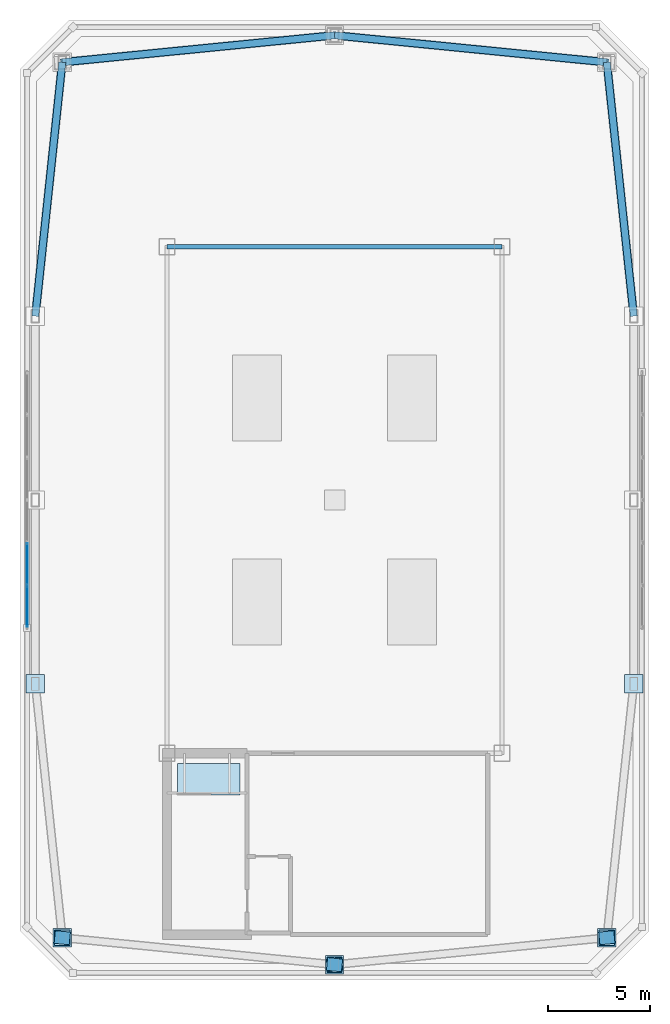
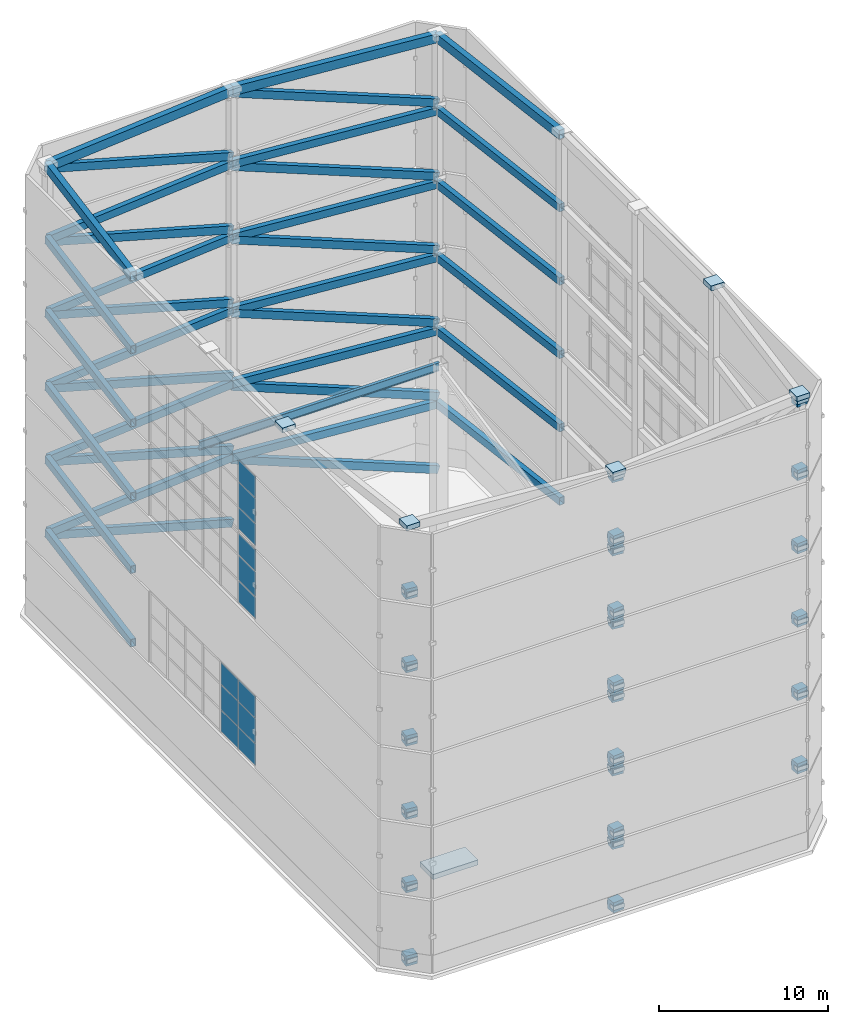
# One storey, part 43 of 47: 65 plates, 25 beams, 12 members, 1 slab, 3 elements without a shape of their own.
"""IFC4 building model written with IfcOpenShell, lengths in metres."""

from ifc_helpers import new_model, si_unit, direction, frame, origin, origin_2d, place, context, subcontext, project, spatial, polyline, rectangle, hollow_rectangle, i_section, outline, extrude, material, layer, layer_set, material_profile, profile_set, type_object, element, aggregate, save


model = new_model("IFC4")

# Units and contexts
model_context = context("Model", 3, precision=1e-05, world=origin(), true_north=direction((0.0, 1.0)))
body_context = subcontext(model_context, "Body", "Model", "MODEL_VIEW")
ifc_project = project(units=[si_unit("LENGTHUNIT", "METRE"), si_unit("AREAUNIT", "SQUARE_METRE"), si_unit("VOLUMEUNIT", "CUBIC_METRE"), si_unit("PLANEANGLEUNIT", "RADIAN"), si_unit("MASSUNIT", "GRAM", prefix="KILO")], contexts=[model_context])

# Site, building, storey
site_placement = place(None, origin())
site = spatial("IfcSite", under=ifc_project, at=site_placement, CompositionType="ELEMENT")
building_placement = place(site_placement, origin())
building = spatial("IfcBuilding", under=site, at=building_placement, Name="Qiaolan Cultural Towers", CompositionType="ELEMENT")
storey_placement = place(building_placement, frame((0.0, 0.0, 280.199951171875)))
storey = spatial("IfcBuildingStorey", under=building, at=storey_placement, Name="RF", CompositionType="ELEMENT", Elevation=280.199951171875)

# Beams
ifc_material_1 = material(Name="Steel Q355B", Category="steel")
ifc_material_profile_1 = material_profile(ifc_material_1, hollow_rectangle(XDim=0.39990234375, YDim=0.64990234375, WallThickness=0.02001953125, at=origin_2d()), Name="BOX650x400x20")
ifc_profile_set_1 = profile_set([ifc_material_profile_1], Name="Steel Q355B")
beam_type_1 = type_object("IfcBeamType", Name="BM-CROWN-FRAME-1", PredefinedType="BEAM", material=ifc_profile_set_1)
beam_1_placement = place(storey_placement, frame((44.64990234375, 43.0, 31.47509765625), z_axis=(-0.105587580773, 0.994410007384, 0.0), x_axis=(-0.994410007384, -0.105587580773, 0.0)))
element("IfcBeam", 1, at=beam_1_placement, inside=storey, type_object=beam_type_1, Name="T1 Crown Frame Top Cap Ring Beam T6-7", PredefinedType="BEAM", context=body_context, shape_type="SweptSolid", body=[
    extrude(hollow_rectangle(XDim=0.39990234375, YDim=0.64990234375, WallThickness=0.02001953125, at=origin_2d()), origin(), (0.0, 0.0, 1.0), 12.499755859375),
])
for number, where, z_axis, x_axis, name in (
    (2, (43.330078125, 55.429931640625, 31.47509765625), (-0.995132371263, 0.098547266143, 0.0), (-0.098547266143, -0.995132371263, 0.0), "T1 Crown Frame Top Cap Ring Beam T6-8"),
    (3, (30.0, 56.75, 31.47509765625), (-0.995132371263, -0.098547266143, 0.0), (0.098547266143, -0.995132371263, 0.0), "T1 Crown Frame Top Cap Ring Beam T6-9"),
):
    element("IfcBeam", number, at=place(storey_placement, frame(where, z_axis=z_axis, x_axis=x_axis)), inside=storey, type_object=beam_type_1, Name=name, PredefinedType="BEAM", context=body_context, shape_type="SweptSolid", body=[
        extrude(hollow_rectangle(XDim=0.39990234375, YDim=0.64990234375, WallThickness=0.02001953125, at=origin_2d()), origin(), (0.0, 0.0, 1.0), 13.395263671875),
    ])
beam_2_placement = place(storey_placement, frame((16.669921875, 55.429931640625, 31.47509765625), z_axis=(-0.105587580773, -0.994410007384, 0.0), x_axis=(0.994410007384, -0.105587580773, 0.0)))
element("IfcBeam", 4, at=beam_2_placement, inside=storey, type_object=beam_type_1, Name="T1 Crown Frame Top Cap Ring Beam T6-10", PredefinedType="BEAM", context=body_context, shape_type="SweptSolid", body=[
    extrude(hollow_rectangle(XDim=0.39990234375, YDim=0.64990234375, WallThickness=0.02001953125, at=origin_2d()), origin(), (0.0, 0.0, 1.0), 12.499755859375),
])
ifc_material_2 = material(Name="Steel Q355B", Category="steel")
ifc_material_profile_2 = material_profile(ifc_material_2, hollow_rectangle(XDim=0.35009765625, YDim=0.550048828125, WallThickness=0.01806640625, at=origin_2d()), Name="BOX550x350x18")
ifc_profile_set_2 = profile_set([ifc_material_profile_2], Name="Steel Q355B")
beam_type_2 = type_object("IfcBeamType", Name="BM-CROWN-FRAME-2", PredefinedType="BEAM", material=ifc_profile_set_2)
beam_3_placement = place(storey_placement, frame((44.64990234375, 43.0, 4.97509765625), z_axis=(-0.105587580773, 0.994410007384, 0.0), x_axis=(-0.994410007384, -0.105587580773, 0.0)))
element("IfcBeam", 5, at=beam_3_placement, inside=storey, type_object=beam_type_2, Name="T1 Crown Frame Ring Beam T1-7", PredefinedType="BEAM", context=body_context, shape_type="SweptSolid", body=[
    extrude(hollow_rectangle(XDim=0.35009765625, YDim=0.550048828125, WallThickness=0.01806640625, at=origin_2d()), origin(), (0.0, 0.0, 1.0), 12.499755859375),
])
for number, where, z_axis, x_axis, name in (
    (6, (43.330078125, 55.429931640625, 4.97509765625), (-0.995132371263, 0.098547266143, 0.0), (-0.098547266143, -0.995132371263, 0.0), "T1 Crown Frame Ring Beam T1-8"),
    (7, (30.0, 56.75, 4.97509765625), (-0.995132371263, -0.098547266143, 0.0), (0.098547266143, -0.995132371263, 0.0), "T1 Crown Frame Ring Beam T1-9"),
):
    element("IfcBeam", number, at=place(storey_placement, frame(where, z_axis=z_axis, x_axis=x_axis)), inside=storey, type_object=beam_type_2, Name=name, PredefinedType="BEAM", context=body_context, shape_type="SweptSolid", body=[
        extrude(hollow_rectangle(XDim=0.35009765625, YDim=0.550048828125, WallThickness=0.01806640625, at=origin_2d()), origin(), (0.0, 0.0, 1.0), 13.395263671875),
    ])
for number, where, z_axis, x_axis, name in (
    (8, (16.669921875, 55.429931640625, 4.97509765625), (-0.105587580773, -0.994410007384, 0.0), (0.994410007384, -0.105587580773, 0.0), "T1 Crown Frame Ring Beam T1-10"),
    (9, (44.64990234375, 43.0, 10.275146484375), (-0.105587580773, 0.994410007384, 0.0), (-0.994410007384, -0.105587580773, 0.0), "T1 Crown Frame Ring Beam T2-7"),
):
    element("IfcBeam", number, at=place(storey_placement, frame(where, z_axis=z_axis, x_axis=x_axis)), inside=storey, type_object=beam_type_2, Name=name, PredefinedType="BEAM", context=body_context, shape_type="SweptSolid", body=[
        extrude(hollow_rectangle(XDim=0.35009765625, YDim=0.550048828125, WallThickness=0.01806640625, at=origin_2d()), origin(), (0.0, 0.0, 1.0), 12.499755859375),
    ])
for number, where, z_axis, x_axis, name in (
    (10, (43.330078125, 55.429931640625, 10.275146484375), (-0.995132371263, 0.098547266143, 0.0), (-0.098547266143, -0.995132371263, 0.0), "T1 Crown Frame Ring Beam T2-8"),
    (11, (30.0, 56.75, 10.275146484375), (-0.995132371263, -0.098547266143, 0.0), (0.098547266143, -0.995132371263, 0.0), "T1 Crown Frame Ring Beam T2-9"),
):
    element("IfcBeam", number, at=place(storey_placement, frame(where, z_axis=z_axis, x_axis=x_axis)), inside=storey, type_object=beam_type_2, Name=name, PredefinedType="BEAM", context=body_context, shape_type="SweptSolid", body=[
        extrude(hollow_rectangle(XDim=0.35009765625, YDim=0.550048828125, WallThickness=0.01806640625, at=origin_2d()), origin(), (0.0, 0.0, 1.0), 13.395263671875),
    ])
for number, where, z_axis, x_axis, name in (
    (12, (16.669921875, 55.429931640625, 10.275146484375), (-0.105587580773, -0.994410007384, 0.0), (0.994410007384, -0.105587580773, 0.0), "T1 Crown Frame Ring Beam T2-10"),
    (13, (44.64990234375, 43.0, 15.574951171875), (-0.105587580773, 0.994410007384, 0.0), (-0.994410007384, -0.105587580773, 0.0), "T1 Crown Frame Ring Beam T3-7"),
):
    element("IfcBeam", number, at=place(storey_placement, frame(where, z_axis=z_axis, x_axis=x_axis)), inside=storey, type_object=beam_type_2, Name=name, PredefinedType="BEAM", context=body_context, shape_type="SweptSolid", body=[
        extrude(hollow_rectangle(XDim=0.35009765625, YDim=0.550048828125, WallThickness=0.01806640625, at=origin_2d()), origin(), (0.0, 0.0, 1.0), 12.499755859375),
    ])
for number, where, z_axis, x_axis, name in (
    (14, (43.330078125, 55.429931640625, 15.574951171875), (-0.995132371263, 0.098547266143, 0.0), (-0.098547266143, -0.995132371263, 0.0), "T1 Crown Frame Ring Beam T3-8"),
    (15, (30.0, 56.75, 15.574951171875), (-0.995132371263, -0.098547266143, 0.0), (0.098547266143, -0.995132371263, 0.0), "T1 Crown Frame Ring Beam T3-9"),
):
    element("IfcBeam", number, at=place(storey_placement, frame(where, z_axis=z_axis, x_axis=x_axis)), inside=storey, type_object=beam_type_2, Name=name, PredefinedType="BEAM", context=body_context, shape_type="SweptSolid", body=[
        extrude(hollow_rectangle(XDim=0.35009765625, YDim=0.550048828125, WallThickness=0.01806640625, at=origin_2d()), origin(), (0.0, 0.0, 1.0), 13.395263671875),
    ])
for number, where, z_axis, x_axis, name in (
    (16, (16.669921875, 55.429931640625, 15.574951171875), (-0.105587580773, -0.994410007384, 0.0), (0.994410007384, -0.105587580773, 0.0), "T1 Crown Frame Ring Beam T3-10"),
    (17, (44.64990234375, 43.0, 20.875), (-0.105587580773, 0.994410007384, 0.0), (-0.994410007384, -0.105587580773, 0.0), "T1 Crown Frame Ring Beam T4-7"),
):
    element("IfcBeam", number, at=place(storey_placement, frame(where, z_axis=z_axis, x_axis=x_axis)), inside=storey, type_object=beam_type_2, Name=name, PredefinedType="BEAM", context=body_context, shape_type="SweptSolid", body=[
        extrude(hollow_rectangle(XDim=0.35009765625, YDim=0.550048828125, WallThickness=0.01806640625, at=origin_2d()), origin(), (0.0, 0.0, 1.0), 12.499755859375),
    ])
for number, where, z_axis, x_axis, name in (
    (18, (43.330078125, 55.429931640625, 20.875), (-0.995132371263, 0.098547266143, 0.0), (-0.098547266143, -0.995132371263, 0.0), "T1 Crown Frame Ring Beam T4-8"),
    (19, (30.0, 56.75, 20.875), (-0.995132371263, -0.098547266143, 0.0), (0.098547266143, -0.995132371263, 0.0), "T1 Crown Frame Ring Beam T4-9"),
):
    element("IfcBeam", number, at=place(storey_placement, frame(where, z_axis=z_axis, x_axis=x_axis)), inside=storey, type_object=beam_type_2, Name=name, PredefinedType="BEAM", context=body_context, shape_type="SweptSolid", body=[
        extrude(hollow_rectangle(XDim=0.35009765625, YDim=0.550048828125, WallThickness=0.01806640625, at=origin_2d()), origin(), (0.0, 0.0, 1.0), 13.395263671875),
    ])
for number, where, z_axis, x_axis, name in (
    (20, (16.669921875, 55.429931640625, 20.875), (-0.105587580773, -0.994410007384, 0.0), (0.994410007384, -0.105587580773, 0.0), "T1 Crown Frame Ring Beam T4-10"),
    (21, (44.64990234375, 43.0, 26.175048828125), (-0.105587580773, 0.994410007384, 0.0), (-0.994410007384, -0.105587580773, 0.0), "T1 Crown Frame Ring Beam T5-7"),
):
    element("IfcBeam", number, at=place(storey_placement, frame(where, z_axis=z_axis, x_axis=x_axis)), inside=storey, type_object=beam_type_2, Name=name, PredefinedType="BEAM", context=body_context, shape_type="SweptSolid", body=[
        extrude(hollow_rectangle(XDim=0.35009765625, YDim=0.550048828125, WallThickness=0.01806640625, at=origin_2d()), origin(), (0.0, 0.0, 1.0), 12.499755859375),
    ])
for number, where, z_axis, x_axis, name in (
    (22, (43.330078125, 55.429931640625, 26.175048828125), (-0.995132371263, 0.098547266143, 0.0), (-0.098547266143, -0.995132371263, 0.0), "T1 Crown Frame Ring Beam T5-8"),
    (23, (30.0, 56.75, 26.175048828125), (-0.995132371263, -0.098547266143, 0.0), (0.098547266143, -0.995132371263, 0.0), "T1 Crown Frame Ring Beam T5-9"),
):
    element("IfcBeam", number, at=place(storey_placement, frame(where, z_axis=z_axis, x_axis=x_axis)), inside=storey, type_object=beam_type_2, Name=name, PredefinedType="BEAM", context=body_context, shape_type="SweptSolid", body=[
        extrude(hollow_rectangle(XDim=0.35009765625, YDim=0.550048828125, WallThickness=0.01806640625, at=origin_2d()), origin(), (0.0, 0.0, 1.0), 13.395263671875),
    ])
beam_4_placement = place(storey_placement, frame((16.669921875, 55.429931640625, 26.175048828125), z_axis=(-0.105587580773, -0.994410007384, 0.0), x_axis=(0.994410007384, -0.105587580773, 0.0)))
element("IfcBeam", 24, at=beam_4_placement, inside=storey, type_object=beam_type_2, Name="T1 Crown Frame Ring Beam T5-10", PredefinedType="BEAM", context=body_context, shape_type="SweptSolid", body=[
    extrude(hollow_rectangle(XDim=0.35009765625, YDim=0.550048828125, WallThickness=0.01806640625, at=origin_2d()), origin(), (0.0, 0.0, 1.0), 12.499755859375),
])
ifc_material_3 = material(Name="Steel Q355B", Category="steel")
ifc_material_profile_3 = material_profile(ifc_material_3, i_section(OverallWidth=0.199951171875, OverallDepth=0.60009765625, WebThickness=0.010986328125, FlangeThickness=0.01708984375, at=origin_2d()), Name="HN600x200x11x17")
ifc_profile_set_3 = profile_set([ifc_material_profile_3], Name="Steel Q355B")
beam_type_3 = type_object("IfcBeamType", Name="BM-SPD-HN600x200x11x17", PredefinedType="SPANDREL", material=ifc_profile_set_3)
beam_5_placement = place(storey_placement, frame((38.199951171875, 46.39990234375, 14.920166015625), z_axis=(-1.0, 0.0, 0.0), x_axis=(0.0, -1.0, 0.0)))
element("IfcBeam", 25, at=beam_5_placement, inside=storey, type_object=beam_type_3, Name="T1 Sloped Plant Roof Edge Rafter 2", PredefinedType="SPANDREL", context=body_context, shape_type="SweptSolid", body=[
    extrude(i_section(OverallWidth=0.199951171875, OverallDepth=0.60009765625, WebThickness=0.010986328125, FlangeThickness=0.01708984375, at=origin_2d()), origin(), (0.0, 0.0, 1.0), 16.39990234375),
])

# Members
ifc_material_4 = material(Name="Steel Q355B", Category="steel")
ifc_material_profile_4 = material_profile(ifc_material_4, hollow_rectangle(XDim=0.35009765625, YDim=0.550048828125, WallThickness=0.01806640625, at=origin_2d()), Name="BOX550x350x18")
ifc_profile_set_4 = profile_set([ifc_material_profile_4], Name="Steel Q355B")
member_type = type_object("IfcMemberType", Name="MBR-CROWN-FRAME-12", PredefinedType="USERDEFINED", material=ifc_profile_set_4)
for number, where, z_axis, x_axis, name in (
    (26, (43.330078125, 55.429931640625, 0.25), (-0.941722893322, 0.093258162714, 0.323204126336), (-0.098547266143, -0.995132371263, 0.0), "T1 Crown Frame Wind Brace T1-8"),
    (27, (30.0, 56.75, 0.25), (-0.941722893322, -0.093258162714, 0.323204126336), (0.098547266143, -0.995132371263, 0.0), "T1 Crown Frame Wind Brace T1-9"),
    (28, (43.330078125, 55.429931640625, 5.550048828125), (-0.941722893322, 0.093258162714, 0.323204126336), (-0.098547266143, -0.995132371263, 0.0), "T1 Crown Frame Wind Brace T2-8"),
    (29, (30.0, 56.75, 5.550048828125), (-0.941722893322, -0.093258162714, 0.323204126336), (0.098547266143, -0.995132371263, 0.0), "T1 Crown Frame Wind Brace T2-9"),
    (30, (43.330078125, 55.429931640625, 10.85009765625), (-0.941722893322, 0.093258162714, 0.323204126336), (-0.098547266143, -0.995132371263, 0.0), "T1 Crown Frame Wind Brace T3-8"),
    (31, (30.0, 56.75, 10.85009765625), (-0.941722893322, -0.093258162714, 0.323204126336), (0.098547266143, -0.995132371263, 0.0), "T1 Crown Frame Wind Brace T3-9"),
    (32, (43.330078125, 55.429931640625, 16.150146484375), (-0.941722893322, 0.093258162714, 0.323204126336), (-0.098547266143, -0.995132371263, 0.0), "T1 Crown Frame Wind Brace T4-8"),
    (33, (30.0, 56.75, 16.150146484375), (-0.941722893322, -0.093258162714, 0.323204126336), (0.098547266143, -0.995132371263, 0.0), "T1 Crown Frame Wind Brace T4-9"),
    (34, (43.330078125, 55.429931640625, 21.449951171875), (-0.941717643574, 0.093257642835, 0.323219572172), (-0.098547266143, -0.995132371263, 0.0), "T1 Crown Frame Wind Brace T5-8"),
    (35, (30.0, 56.75, 21.449951171875), (-0.941717643574, -0.093257642835, 0.323219572172), (0.098547266143, -0.995132371263, 0.0), "T1 Crown Frame Wind Brace T5-9"),
    (36, (43.330078125, 55.429931640625, 26.75), (-0.941722893322, 0.093258162714, 0.323204126336), (-0.098547266143, -0.995132371263, 0.0), "T1 Crown Frame Wind Brace T6-8"),
    (37, (30.0, 56.75, 26.75), (-0.941722893322, -0.093258162714, 0.323204126336), (0.098547266143, -0.995132371263, 0.0), "T1 Crown Frame Wind Brace T6-9"),
):
    element("IfcMember", number, at=place(storey_placement, frame(where, z_axis=z_axis, x_axis=x_axis)), inside=storey, type_object=member_type, Name=name, ObjectType="CROWN FRAME", PredefinedType="USERDEFINED", context=body_context, shape_type="SweptSolid", body=[
        extrude(hollow_rectangle(XDim=0.35009765625, YDim=0.550048828125, WallThickness=0.01806640625, at=origin_2d()), origin(), (0.0, 0.0, 1.0), 14.155029296875),
    ])

# Curtain wall, plates
ifc_material_5 = material(Name="Unitized Anodized Aluminium Curtain Wall System", Category="aluminium")
ifc_layer_1 = layer(ifc_material_5, 0.199951171875)
ifc_layer_set_1 = layer_set([ifc_layer_1], Name="Unitized Anodized Aluminium Curtain Wall System")
curtain_wall_type = type_object("IfcCurtainWallType", Name="CWS-06", PredefinedType="NOTDEFINED", material=ifc_layer_set_1)
curtain_wall_1_placement = place(storey_placement, origin())
curtain_wall_1 = element("IfcCurtainWall", 38, at=curtain_wall_1_placement, inside=storey, type_object=curtain_wall_type, Name="T1 Crown Tier 2 Fritted Screen Curtain Wall 7", PredefinedType="NOTDEFINED")
ifc_material_6 = material(Name="Laminated Low-E Insulating Glass Unit", Category="glass")
ifc_layer_2 = layer(ifc_material_6, 0.035888671875)
ifc_layer_set_2 = layer_set([ifc_layer_2], Name="Laminated Low-E Insulating Glass Unit")
plate_type_1 = type_object("IfcPlateType", Name="CWS-06-PNL", PredefinedType="CURTAIN_PANEL", material=ifc_layer_set_2)
plate_1_placement = place(storey_placement, frame((14.949951171875, 30.864990234375, 5.46484375), z_axis=(0.0, 0.0, 1.0), x_axis=(0.0, -1.0, 0.0)))
plate_1 = element("IfcPlate", 39, at=plate_1_placement, type_object=plate_type_1, Name="CW-6 panel 5.1", PredefinedType="CURTAIN_PANEL", context=body_context, shape_type="SweptSolid", body=[
    extrude(rectangle(XDim=2.014892578125, YDim=0.035888671875, at=origin_2d()), origin(), (0.0, 0.0, 1.0), 1.532470703125),
])
plate_2_placement = place(storey_placement, frame((14.949951171875, 30.864990234375, 7.0625), z_axis=(0.0, 0.0, 1.0), x_axis=(0.0, -1.0, 0.0)))
plate_2 = element("IfcPlate", 40, at=plate_2_placement, type_object=plate_type_1, Name="CW-6 panel 5.2", PredefinedType="CURTAIN_PANEL", context=body_context, shape_type="SweptSolid", body=[
    extrude(rectangle(XDim=2.014892578125, YDim=0.035888671875, at=origin_2d()), origin(), (0.0, 0.0, 1.0), 1.77490234375),
])
plate_3_placement = place(storey_placement, frame((14.949951171875, 30.864990234375, 8.90234375), z_axis=(0.0, 0.0, 1.0), x_axis=(0.0, -1.0, 0.0)))
plate_3 = element("IfcPlate", 41, at=plate_3_placement, type_object=plate_type_1, Name="CW-6 panel 5.3", PredefinedType="CURTAIN_PANEL", context=body_context, shape_type="SweptSolid", body=[
    extrude(rectangle(XDim=2.014892578125, YDim=0.035888671875, at=origin_2d()), origin(), (0.0, 0.0, 1.0), 1.532470703125),
])
plate_4_placement = place(storey_placement, frame((14.949951171875, 28.793701171875, 5.46484375), z_axis=(0.0, 0.0, 1.0), x_axis=(0.0, -1.0, 0.0)))
plate_4 = element("IfcPlate", 42, at=plate_4_placement, type_object=plate_type_1, Name="CW-6 panel 6.1", PredefinedType="CURTAIN_PANEL", context=body_context, shape_type="SweptSolid", body=[
    extrude(rectangle(XDim=1.9775390625, YDim=0.035888671875, at=origin_2d()), origin(), (0.0, 0.0, 1.0), 1.532470703125),
])
plate_5_placement = place(storey_placement, frame((14.949951171875, 28.793701171875, 7.0625), z_axis=(0.0, 0.0, 1.0), x_axis=(0.0, -1.0, 0.0)))
plate_5 = element("IfcPlate", 43, at=plate_5_placement, type_object=plate_type_1, Name="CW-6 panel 6.2", PredefinedType="CURTAIN_PANEL", context=body_context, shape_type="SweptSolid", body=[
    extrude(rectangle(XDim=1.9775390625, YDim=0.035888671875, at=origin_2d()), origin(), (0.0, 0.0, 1.0), 1.77490234375),
])
plate_6_placement = place(storey_placement, frame((14.949951171875, 28.793701171875, 8.90234375), z_axis=(0.0, 0.0, 1.0), x_axis=(0.0, -1.0, 0.0)))
plate_6 = element("IfcPlate", 44, at=plate_6_placement, type_object=plate_type_1, Name="CW-6 panel 6.3", PredefinedType="CURTAIN_PANEL", context=body_context, shape_type="SweptSolid", body=[
    extrude(rectangle(XDim=1.9775390625, YDim=0.035888671875, at=origin_2d()), origin(), (0.0, 0.0, 1.0), 1.532470703125),
])
aggregate(curtain_wall_1, [plate_1, plate_2, plate_3, plate_4, plate_5, plate_6])

curtain_wall_2_placement = place(storey_placement, origin())
curtain_wall_2 = element("IfcCurtainWall", 45, at=curtain_wall_2_placement, inside=storey, type_object=curtain_wall_type, Name="T1 Crown Tier 4 Fritted Screen Curtain Wall 7", PredefinedType="NOTDEFINED")
plate_7_placement = place(storey_placement, frame((14.949951171875, 28.793701171875, 16.06494140625), z_axis=(0.0, 0.0, 1.0), x_axis=(0.0, -1.0, 0.0)))
plate_7 = element("IfcPlate", 46, at=plate_7_placement, type_object=plate_type_1, Name="CW-6 panel 6.1", PredefinedType="CURTAIN_PANEL", context=body_context, shape_type="SweptSolid", body=[
    extrude(rectangle(XDim=1.9775390625, YDim=0.035888671875, at=origin_2d()), origin(), (0.0, 0.0, 1.0), 1.532470703125),
])
plate_8_placement = place(storey_placement, frame((14.949951171875, 28.793701171875, 17.66259765625), z_axis=(0.0, 0.0, 1.0), x_axis=(0.0, -1.0, 0.0)))
plate_8 = element("IfcPlate", 47, at=plate_8_placement, type_object=plate_type_1, Name="CW-6 panel 6.2", PredefinedType="CURTAIN_PANEL", context=body_context, shape_type="SweptSolid", body=[
    extrude(rectangle(XDim=1.9775390625, YDim=0.035888671875, at=origin_2d()), origin(), (0.0, 0.0, 1.0), 1.77490234375),
])
plate_9_placement = place(storey_placement, frame((14.949951171875, 28.793701171875, 19.50244140625), z_axis=(0.0, 0.0, 1.0), x_axis=(0.0, -1.0, 0.0)))
plate_9 = element("IfcPlate", 48, at=plate_9_placement, type_object=plate_type_1, Name="CW-6 panel 6.3", PredefinedType="CURTAIN_PANEL", context=body_context, shape_type="SweptSolid", body=[
    extrude(rectangle(XDim=1.9775390625, YDim=0.035888671875, at=origin_2d()), origin(), (0.0, 0.0, 1.0), 1.532470703125),
])
aggregate(curtain_wall_2, [plate_7, plate_8, plate_9])

curtain_wall_3_placement = place(storey_placement, origin())
curtain_wall_3 = element("IfcCurtainWall", 49, at=curtain_wall_3_placement, inside=storey, type_object=curtain_wall_type, Name="T1 Crown Tier 5 Fritted Screen Curtain Wall 7", PredefinedType="NOTDEFINED")
plate_10_placement = place(storey_placement, frame((14.949951171875, 28.793701171875, 21.365234375), z_axis=(0.0, 0.0, 1.0), x_axis=(0.0, -1.0, 0.0)))
plate_10 = element("IfcPlate", 50, at=plate_10_placement, type_object=plate_type_1, Name="CW-6 panel 6.1", PredefinedType="CURTAIN_PANEL", context=body_context, shape_type="SweptSolid", body=[
    extrude(rectangle(XDim=1.9775390625, YDim=0.035888671875, at=origin_2d()), origin(), (0.0, 0.0, 1.0), 1.532470703125),
])
plate_11_placement = place(storey_placement, frame((14.949951171875, 28.793701171875, 22.962646484375), z_axis=(0.0, 0.0, 1.0), x_axis=(0.0, -1.0, 0.0)))
plate_11 = element("IfcPlate", 51, at=plate_11_placement, type_object=plate_type_1, Name="CW-6 panel 6.2", PredefinedType="CURTAIN_PANEL", context=body_context, shape_type="SweptSolid", body=[
    extrude(rectangle(XDim=1.9775390625, YDim=0.035888671875, at=origin_2d()), origin(), (0.0, 0.0, 1.0), 1.77490234375),
])
plate_12_placement = place(storey_placement, frame((14.949951171875, 28.793701171875, 24.802734375), z_axis=(0.0, 0.0, 1.0), x_axis=(0.0, -1.0, 0.0)))
plate_12 = element("IfcPlate", 52, at=plate_12_placement, type_object=plate_type_1, Name="CW-6 panel 6.3", PredefinedType="CURTAIN_PANEL", context=body_context, shape_type="SweptSolid", body=[
    extrude(rectangle(XDim=1.9775390625, YDim=0.035888671875, at=origin_2d()), origin(), (0.0, 0.0, 1.0), 1.532470703125),
])
aggregate(curtain_wall_3, [plate_10, plate_11, plate_12])

# Plates
ifc_material_7 = material(Name="Steel Q355B", Category="steel")
ifc_layer_3 = layer(ifc_material_7, 0.035888671875)
ifc_layer_set_3 = layer_set([ifc_layer_3], Name="Steel Q355B")
plate_type_2 = type_object("IfcPlateType", Name="PL-CONN-36", PredefinedType="USERDEFINED", material=ifc_layer_set_3)
for number, where, z_axis, x_axis, name in (
    (53, (16.669921875, 12.570068359375, -0.1201171875), (0.0, 0.0, 1.0), (-0.99513281456, 0.098542789618, 0.0), "RF Brace End Connection Gusset Plate GP-02-0842"),
    (54, (30.0, 11.25, 4.455078125), (0.0, 0.0, 1.0), (-0.99513281456, 0.098542789618, 0.0), "RF Brace End Connection Gusset Plate GP-02-0843"),
    (55, (30.0, 11.25, -0.1201171875), (0.0, 0.0, 1.0), (0.99513281456, 0.098542789618, 0.0), "RF Brace End Connection Gusset Plate GP-02-0844"),
    (56, (43.330078125, 12.570068359375, 4.455078125), (0.0, 0.0, 1.0), (0.99513281456, 0.098542789618, 0.0), "RF Brace End Connection Gusset Plate GP-02-0845"),
    (57, (16.669921875, 12.570068359375, 5.18017578125), (0.0, 0.0, 1.0), (-0.99513281456, 0.098542789618, 0.0), "RF Brace End Connection Gusset Plate GP-02-0850"),
    (58, (30.0, 11.25, 9.7548828125), (0.0, 0.0, 1.0), (-0.99513281456, 0.098542789618, 0.0), "RF Brace End Connection Gusset Plate GP-02-0851"),
    (59, (30.0, 11.25, 5.18017578125), (0.0, 0.0, 1.0), (0.99513281456, 0.098542789618, 0.0), "RF Brace End Connection Gusset Plate GP-02-0852"),
    (60, (43.330078125, 12.570068359375, 9.7548828125), (0.0, 0.0, 1.0), (0.99513281456, 0.098542789618, 0.0), "RF Brace End Connection Gusset Plate GP-02-0853"),
    (61, (16.669921875, 12.570068359375, 10.47998046875), (0.0, 0.0, 1.0), (-0.99513281456, 0.098542789618, 0.0), "RF Brace End Connection Gusset Plate GP-02-0858"),
    (62, (30.0, 11.25, 15.05517578125), (0.0, 0.0, 1.0), (-0.99513281456, 0.098542789618, 0.0), "RF Brace End Connection Gusset Plate GP-02-0859"),
    (63, (30.0, 11.25, 10.47998046875), (0.0, 0.0, 1.0), (0.99513281456, 0.098542789618, 0.0), "RF Brace End Connection Gusset Plate GP-02-0860"),
    (64, (43.330078125, 12.570068359375, 15.05517578125), (0.0, 0.0, 1.0), (0.99513281456, 0.098542789618, 0.0), "RF Brace End Connection Gusset Plate GP-02-0861"),
    (65, (16.669921875, 12.570068359375, 15.7802734375), (0.0, 0.0, 1.0), (-0.99513281456, 0.098542789618, 0.0), "RF Brace End Connection Gusset Plate GP-02-0866"),
    (66, (30.0, 11.25, 20.35498046875), (0.0, 0.0, 1.0), (-0.99513281456, 0.098542789618, 0.0), "RF Brace End Connection Gusset Plate GP-02-0867"),
    (67, (30.0, 11.25, 15.7802734375), (0.0, 0.0, 1.0), (0.99513281456, 0.098542789618, 0.0), "RF Brace End Connection Gusset Plate GP-02-0868"),
    (68, (43.330078125, 12.570068359375, 20.35498046875), (0.0, 0.0, 1.0), (0.99513281456, 0.098542789618, 0.0), "RF Brace End Connection Gusset Plate GP-02-0869"),
    (69, (16.669921875, 12.570068359375, 21.080078125), (0.0, 0.0, 1.0), (-0.99513281456, 0.098542789618, 0.0), "RF Brace End Connection Gusset Plate GP-02-0874"),
    (70, (30.0, 11.25, 25.6552734375), (0.0, 0.0, 1.0), (-0.99513281456, 0.098542789618, 0.0), "RF Brace End Connection Gusset Plate GP-02-0875"),
    (71, (30.0, 11.25, 21.080078125), (0.0, 0.0, 1.0), (0.99513281456, 0.098542789618, 0.0), "RF Brace End Connection Gusset Plate GP-02-0876"),
    (72, (43.330078125, 12.570068359375, 25.6552734375), (0.0, 0.0, 1.0), (0.99513281456, 0.098542789618, 0.0), "RF Brace End Connection Gusset Plate GP-02-0877"),
    (73, (16.669921875, 12.570068359375, 26.3798828125), (0.0, 0.0, 1.0), (-0.99513281456, 0.098542789618, 0.0), "RF Brace End Connection Gusset Plate GP-02-0882"),
    (74, (30.0, 11.25, 30.955078125), (0.0, 0.0, 1.0), (-0.99513281456, 0.098542789618, 0.0), "RF Brace End Connection Gusset Plate GP-02-0883"),
    (75, (30.0, 11.25, 26.3798828125), (0.0, 0.0, 1.0), (0.99513281456, 0.098542789618, 0.0), "RF Brace End Connection Gusset Plate GP-02-0884"),
    (76, (43.330078125, 12.570068359375, 30.955078125), (0.0, 0.0, 1.0), (0.99513281456, 0.098542789618, 0.0), "RF Brace End Connection Gusset Plate GP-02-0885"),
):
    element("IfcPlate", number, at=place(storey_placement, frame(where, z_axis=z_axis, x_axis=x_axis)), inside=storey, type_object=plate_type_2, Name=name, ObjectType="GUSSET_PLATE", PredefinedType="USERDEFINED", context=body_context, shape_type="SweptSolid", body=[
        extrude(rectangle(XDim=0.739990234375, YDim=0.6201171875, at=origin_2d()), origin(), (0.0, 0.0, 1.0), 0.739990234375),
    ])
ifc_material_8 = material(Name="Steel Q355B", Category="steel")
ifc_layer_4 = layer(ifc_material_8, 0.030029296875)
ifc_layer_set_4 = layer_set([ifc_layer_4], Name="Steel Q355B")
plate_type_3 = type_object("IfcPlateType", Name="PL-ENDCAP-30", PredefinedType="USERDEFINED", material=ifc_layer_set_4)
for number, where, z_axis, x_axis, name in (
    (77, (16.669921875, 12.570068359375, 0.10009765625), (0.0, 0.0, 1.0), (1.0, 0.0, 0.0), "Crown Brace End Seal Plate CP-01"),
    (78, (30.0, 11.25, 4.6748046875), (0.0, 0.0, 1.0), (1.0, 0.0, 0.0), "Crown Brace End Seal Plate CP-01"),
    (79, (30.0, 11.25, 0.10009765625), (0.0, 0.0, 1.0), (1.0, 0.0, 0.0), "Crown Brace End Seal Plate CP-01"),
    (80, (43.330078125, 12.570068359375, 4.6748046875), (0.0, 0.0, 1.0), (1.0, 0.0, 0.0), "Crown Brace End Seal Plate CP-01"),
    (81, (16.669921875, 12.570068359375, 5.39990234375), (0.0, 0.0, 1.0), (1.0, 0.0, 0.0), "Crown Brace End Seal Plate CP-01"),
    (82, (30.0, 11.25, 9.97509765625), (0.0, 0.0, 1.0), (1.0, 0.0, 0.0), "Crown Brace End Seal Plate CP-01"),
    (83, (30.0, 11.25, 5.39990234375), (0.0, 0.0, 1.0), (1.0, 0.0, 0.0), "Crown Brace End Seal Plate CP-01"),
    (84, (43.330078125, 12.570068359375, 9.97509765625), (0.0, 0.0, 1.0), (1.0, 0.0, 0.0), "Crown Brace End Seal Plate CP-01"),
    (85, (16.669921875, 12.570068359375, 10.7001953125), (0.0, 0.0, 1.0), (1.0, 0.0, 0.0), "Crown Brace End Seal Plate CP-01"),
    (86, (30.0, 11.25, 15.27490234375), (0.0, 0.0, 1.0), (1.0, 0.0, 0.0), "Crown Brace End Seal Plate CP-01"),
    (87, (30.0, 11.25, 10.7001953125), (0.0, 0.0, 1.0), (1.0, 0.0, 0.0), "Crown Brace End Seal Plate CP-01"),
    (88, (43.330078125, 12.570068359375, 15.27490234375), (0.0, 0.0, 1.0), (1.0, 0.0, 0.0), "Crown Brace End Seal Plate CP-01"),
    (89, (16.669921875, 12.570068359375, 16.0), (0.0, 0.0, 1.0), (1.0, 0.0, 0.0), "Crown Brace End Seal Plate CP-01"),
    (90, (30.0, 11.25, 20.5751953125), (0.0, 0.0, 1.0), (1.0, 0.0, 0.0), "Crown Brace End Seal Plate CP-01"),
    (91, (30.0, 11.25, 16.0), (0.0, 0.0, 1.0), (1.0, 0.0, 0.0), "Crown Brace End Seal Plate CP-01"),
    (92, (43.330078125, 12.570068359375, 20.5751953125), (0.0, 0.0, 1.0), (1.0, 0.0, 0.0), "Crown Brace End Seal Plate CP-01"),
    (93, (16.669921875, 12.570068359375, 21.2998046875), (0.0, 0.0, 1.0), (1.0, 0.0, 0.0), "Crown Brace End Seal Plate CP-01"),
    (94, (30.0, 11.25, 25.875), (0.0, 0.0, 1.0), (1.0, 0.0, 0.0), "Crown Brace End Seal Plate CP-01"),
    (95, (30.0, 11.25, 21.2998046875), (0.0, 0.0, 1.0), (1.0, 0.0, 0.0), "Crown Brace End Seal Plate CP-01"),
    (96, (43.330078125, 12.570068359375, 25.875), (0.0, 0.0, 1.0), (1.0, 0.0, 0.0), "Crown Brace End Seal Plate CP-01"),
    (97, (16.669921875, 12.570068359375, 26.60009765625), (0.0, 0.0, 1.0), (1.0, 0.0, 0.0), "Crown Brace End Seal Plate CP-01"),
    (98, (30.0, 11.25, 31.1748046875), (0.0, 0.0, 1.0), (1.0, 0.0, 0.0), "Crown Brace End Seal Plate CP-01"),
    (99, (30.0, 11.25, 26.60009765625), (0.0, 0.0, 1.0), (1.0, 0.0, 0.0), "Crown Brace End Seal Plate CP-01"),
    (100, (43.330078125, 12.570068359375, 31.1748046875), (0.0, 0.0, 1.0), (1.0, 0.0, 0.0), "Crown Brace End Seal Plate CP-01"),
):
    element("IfcPlate", number, at=place(storey_placement, frame(where, z_axis=z_axis, x_axis=x_axis)), inside=storey, type_object=plate_type_3, Name=name, ObjectType="BASE_PLATE", PredefinedType="USERDEFINED", context=body_context, shape_type="SweptSolid", body=[
        extrude(rectangle(XDim=0.75, YDim=0.75, at=origin_2d()), origin(), (0.0, 0.0, 1.0), 0.300048828125),
    ])
for number, where, z_axis, x_axis, name in (
    (101, (15.35009765625, 25.0, 31.47509765625), (0.0, 0.0, 1.0), (1.0, 0.0, 0.0), "Crown Top Cap Corner Seal Plate CP-01"),
    (102, (16.669921875, 12.570068359375, 31.47509765625), (0.0, 0.0, 1.0), (1.0, 0.0, 0.0), "Crown Top Cap Corner Seal Plate CP-01"),
    (103, (30.0, 11.25, 31.47509765625), (0.0, 0.0, 1.0), (1.0, 0.0, 0.0), "Crown Top Cap Corner Seal Plate CP-01"),
    (104, (43.330078125, 12.570068359375, 31.47509765625), (0.0, 0.0, 1.0), (1.0, 0.0, 0.0), "Crown Top Cap Corner Seal Plate CP-01"),
    (105, (44.64990234375, 25.0, 31.47509765625), (0.0, 0.0, 1.0), (1.0, 0.0, 0.0), "Crown Top Cap Corner Seal Plate CP-01"),
):
    element("IfcPlate", number, at=place(storey_placement, frame(where, z_axis=z_axis, x_axis=x_axis)), inside=storey, type_object=plate_type_3, Name=name, ObjectType="BASE_PLATE", PredefinedType="USERDEFINED", context=body_context, shape_type="SweptSolid", body=[
        extrude(rectangle(XDim=0.89990234375, YDim=0.89990234375, at=origin_2d()), origin(), (0.0, 0.0, 1.0), 0.35009765625),
    ])

# Slab
ifc_material_9 = material(Name="Concrete C40", Category="concrete")
ifc_layer_5 = layer(ifc_material_9, 0.360107421875)
ifc_layer_set_5 = layer_set([ifc_layer_5], Name="Concrete C40")
slab_type = type_object("IfcSlabType", Name="SL-STFLR-360", PredefinedType="LANDING", material=ifc_layer_set_5)
slab_placement = place(storey_placement, frame((0.0, 0.0, -0.35986328125)))
element("IfcSlab", 106, at=slab_placement, inside=storey, type_object=slab_type, Name="RF ST-W1 Stair Floor Landing Slab", PredefinedType="LANDING", context=body_context, shape_type="SweptSolid", body=[
    extrude(outline(polyline([(22.302001953125, 21.097900390625), (22.302001953125, 19.548583984375), (25.3779296875, 19.548583984375), (25.3779296875, 21.097900390625), (22.302001953125, 21.097900390625)])), origin(), (0.0, 0.0, 1.0), 0.35986328125),
])

save(model, "model.ifc")
